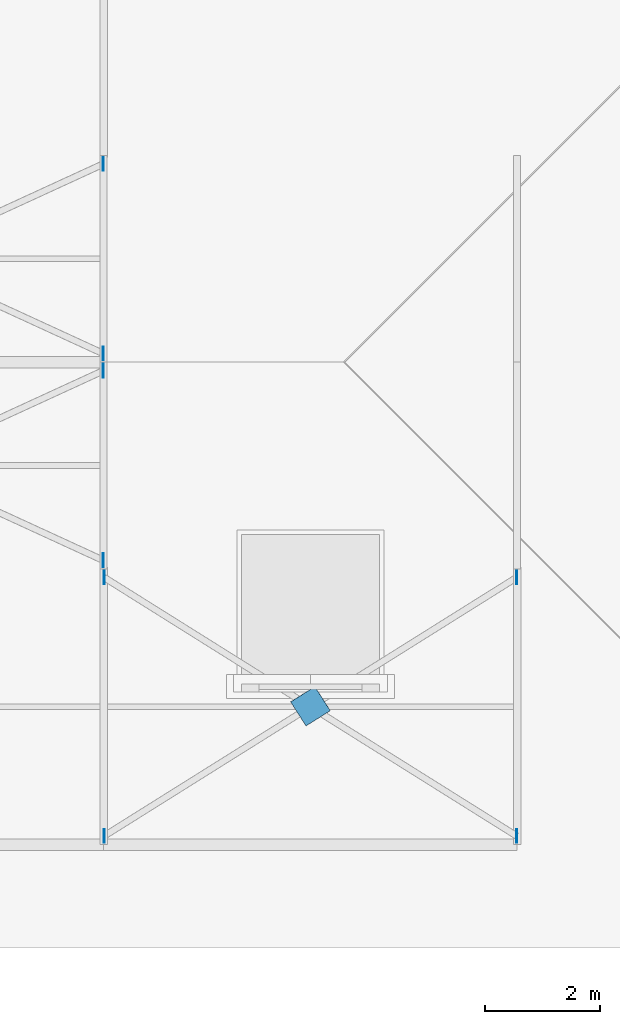
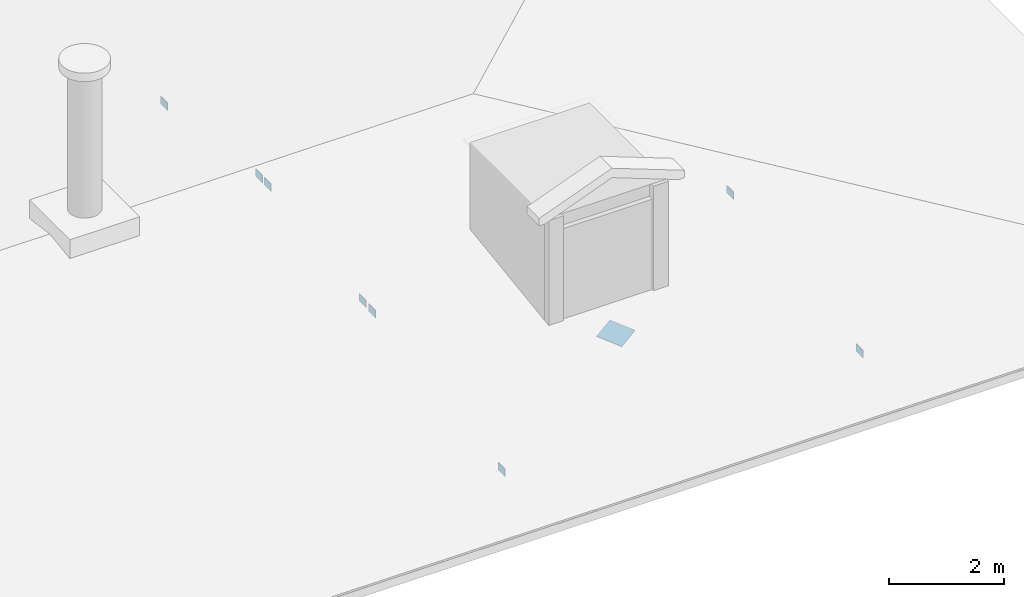
# One storey, part 12 of 24: 9 discrete accessories.
"""IFC4 building model written with IfcOpenShell, lengths in metres."""

from ifc_helpers import new_model, si_unit, direction, frame, origin, origin_2d, place, context, subcontext, project, spatial, rectangle, extrude, material, material_profile, profile_set, type_object, element, save


model = new_model("IFC4")

# Units and contexts
model_context = context("Model", 3, precision=1e-05, world=origin(), true_north=direction((0.0, 1.0)))
body_context = subcontext(model_context, "Body", "Model", "MODEL_VIEW")
ifc_project = project(units=[si_unit("LENGTHUNIT", "METRE"), si_unit("AREAUNIT", "SQUARE_METRE"), si_unit("VOLUMEUNIT", "CUBIC_METRE"), si_unit("PLANEANGLEUNIT", "RADIAN"), si_unit("MASSUNIT", "GRAM", prefix="KILO")], contexts=[model_context])

# Site, building, storey
site_placement = place(None, origin())
site = spatial("IfcSite", under=ifc_project, at=site_placement, CompositionType="ELEMENT")
building_placement = place(site_placement, origin())
building = spatial("IfcBuilding", under=site, at=building_placement, Name="Ussher Court Research Institute", CompositionType="ELEMENT")
storey_placement = place(building_placement, frame((0.0, 0.0, 32.39990234375)))
storey = spatial("IfcBuildingStorey", under=building, at=storey_placement, Name="L07", CompositionType="ELEMENT", Elevation=32.39990234375)

# Discrete accessories
ifc_material_1 = material(Name="Steel S355", Category="steel")
ifc_material_profile_1 = material_profile(ifc_material_1, rectangle(XDim=0.011962890625, YDim=0.239990234375, at=origin_2d()), Name="PL 12x240")
ifc_profile_set_1 = profile_set([ifc_material_profile_1], Name="Steel S355")
discrete_accessory_type_1 = type_object("IfcDiscreteAccessoryType", Name="End plate 12 mm", PredefinedType="ANCHORPLATE", material=ifc_profile_set_1)
for number, where, z_axis, x_axis, name in (
    (1, (67.809326171875, 71.35009765625, -0.10498046875), (0.0, 0.0, 1.0), (1.0, 0.0, 0.0), "GP2 V5 L07-09"),
    (2, (74.99072265625, 75.85009765625, 0.527587890625), (0.0, 0.0, 1.0), (1.0, 0.0, 0.0), "GP2 V5 L07-10"),
    (3, (67.809326171875, 75.85009765625, 0.527587890625), (0.0, 0.0, 1.0), (1.0, 0.0, 0.0), "GP2 V5 L07-11"),
    (4, (74.99072265625, 71.35009765625, -0.10498046875), (0.0, 0.0, 1.0), (1.0, 0.0, 0.0), "GP2 V5 L07-12"),
):
    element("IfcDiscreteAccessory", number, at=place(storey_placement, frame(where, z_axis=z_axis, x_axis=x_axis)), inside=storey, type_object=discrete_accessory_type_1, Name=name, PredefinedType="ANCHORPLATE", context=body_context, shape_type="SweptSolid", body=[
        extrude(rectangle(XDim=0.011962890625, YDim=0.239990234375, at=origin_2d()), origin(), (0.0, 0.0, 1.0), 0.159912109375),
    ])
for number, where, z_axis, x_axis, name in (
    (5, (67.791015625, 79.449951171875, 1.033447265625), (0.0, 0.0, 1.0), (1.0, 0.0, 0.0), "GP2 V5 L07-22"),
    (6, (67.791015625, 76.14990234375, 0.569580078125), (0.0, 0.0, 1.0), (1.0, 0.0, 0.0), "GP2 V5 L07-24"),
    (7, (67.791015625, 83.050048828125, 0.569580078125), (0.0, 0.0, 1.0), (1.0, 0.0, 0.0), "GP2 V5 L07-34"),
    (8, (67.791015625, 79.75, 1.033447265625), (0.0, 0.0, 1.0), (1.0, 0.0, 0.0), "GP2 V5 L07-36"),
):
    element("IfcDiscreteAccessory", number, at=place(storey_placement, frame(where, z_axis=z_axis, x_axis=x_axis)), inside=storey, type_object=discrete_accessory_type_1, Name=name, PredefinedType="ANCHORPLATE", context=body_context, shape_type="SweptSolid", body=[
        extrude(rectangle(XDim=0.011962890625, YDim=0.239990234375, at=origin_2d()), origin(), (0.0, 0.0, 1.0), 0.16015625),
    ])
ifc_material_2 = material(Name="Steel S355", Category="steel")
ifc_material_profile_2 = material_profile(ifc_material_2, rectangle(XDim=0.5, YDim=0.011962890625, at=origin_2d()), Name="PL 500x12")
ifc_profile_set_2 = profile_set([ifc_material_profile_2], Name="Steel S355")
discrete_accessory_type_2 = type_object("IfcDiscreteAccessoryType", Name="Gusset plate 12 mm", PredefinedType="ANCHORPLATE", material=ifc_profile_set_2)
discrete_accessory_placement = place(storey_placement, frame((71.188720703125, 73.47607421875, 0.213134765625), z_axis=(0.845162253264, 0.529263941386, 0.074702382871), x_axis=(0.534509764332, -0.836940162325, -0.117603046393)))
element("IfcDiscreteAccessory", 9, at=discrete_accessory_placement, inside=storey, type_object=discrete_accessory_type_2, Name="GP1 V5 L07-03", PredefinedType="ANCHORPLATE", context=body_context, shape_type="SweptSolid", body=[
    extrude(rectangle(XDim=0.5, YDim=0.011962890625, at=origin_2d()), origin(), (0.0, 0.0, 1.0), 0.5),
])

save(model, "model.ifc")
